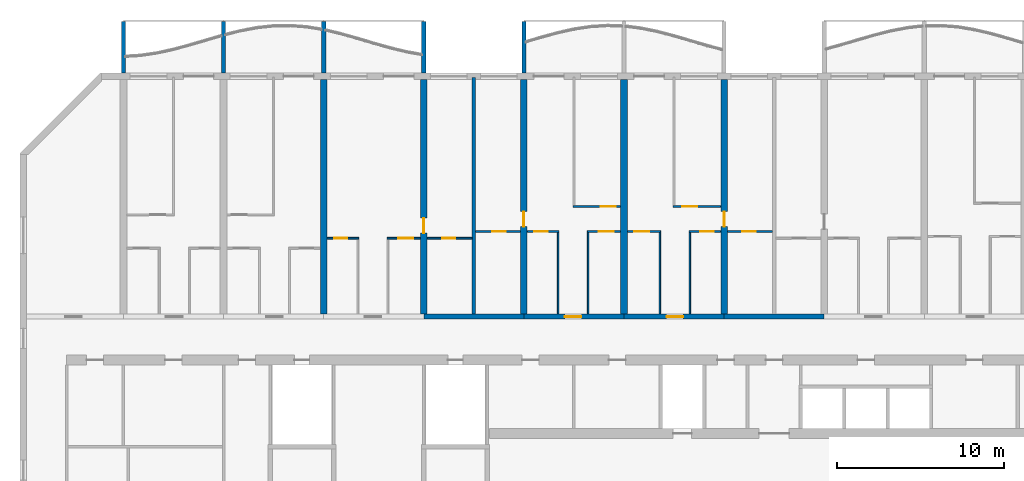
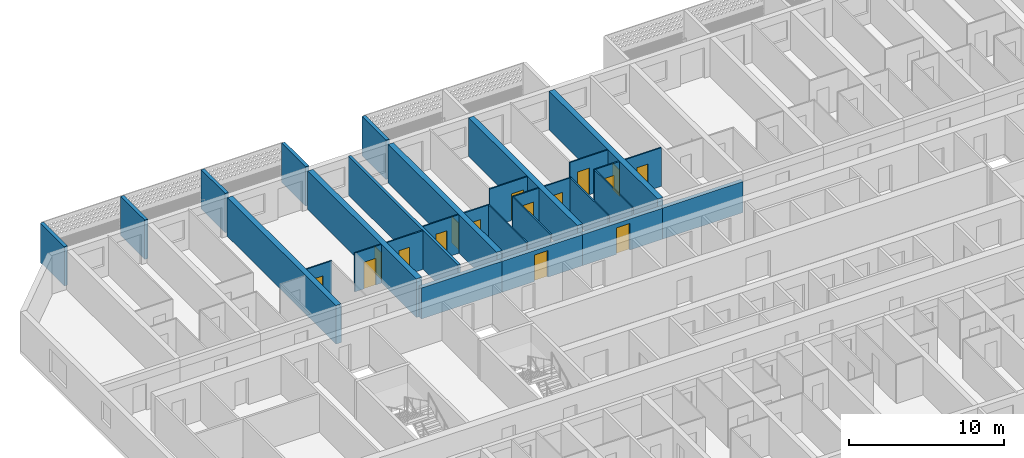
# One storey, part 10 of 39: 30 walls, 16 doors, 16 openings.
"""IFC4 building model written with IfcOpenShell, lengths in metres."""

from ifc_helpers import new_model, si_unit, direction, frame, frame_2d, origin, place, context, subcontext, project, spatial, polyline, rectangle, outline, extrude, source, transform, mapped, material, layer, layer_set, type_object, element, fill, save


model = new_model("IFC4")

# Units and contexts
model_context = context("Model", 3, precision=1e-05, world=origin(), true_north=direction((0.0, 1.0)))
body_context = subcontext(model_context, "Body", "Model", "MODEL_VIEW")
ifc_project = project(units=[si_unit("LENGTHUNIT", "METRE"), si_unit("AREAUNIT", "SQUARE_METRE"), si_unit("VOLUMEUNIT", "CUBIC_METRE"), si_unit("PLANEANGLEUNIT", "RADIAN"), si_unit("MASSUNIT", "GRAM", prefix="KILO")], contexts=[model_context])

# Site, building, storey
site_placement = place(None, origin())
site = spatial("IfcSite", under=ifc_project, at=site_placement, CompositionType="ELEMENT")
building_placement = place(site_placement, origin())
building = spatial("IfcBuilding", under=site, at=building_placement, Name="Poui Terraces", CompositionType="ELEMENT")
storey_placement = place(building_placement, frame((0.0, 0.0, 59.699951171875)))
storey = spatial("IfcBuildingStorey", under=building, at=storey_placement, Name="L16", CompositionType="ELEMENT", Elevation=59.699951171875)

# Wall
ifc_material_1 = material(Name="Concrete 80 MPa", Category="concrete")
ifc_layer_1 = layer(ifc_material_1, 0.300048828125)
ifc_layer_set_1 = layer_set([ifc_layer_1], Name="Concrete 80 MPa")
wall_type_1 = type_object("IfcWallType", Name="CORRIDOR WALL 300 80MPa", PredefinedType="SHEAR", material=ifc_layer_set_1)
wall_1_placement = place(storey_placement, frame((30.0, 30.39990234375, 0.0), z_axis=(0.0, 0.0, 1.0), x_axis=(1.0, 0.0, 0.0)))
element("IfcWall", 1, at=wall_1_placement, inside=storey, type_object=wall_type_1, Name="CORRIDOR WALL LINE E BAY 5", PredefinedType="SHEAR", context=body_context, shape_type="SweptSolid", body=[
    extrude(rectangle(XDim=6.0, YDim=0.300048828125, at=frame_2d((3.0, 0.0))), origin(), (0.0, 0.0, 1.0), 2.449951171875),
])

# Wall, opening, door
wall_2_placement = place(storey_placement, frame((36.0, 30.39990234375, 0.0), z_axis=(0.0, 0.0, 1.0), x_axis=(1.0, 0.0, 0.0)))
wall_2 = element("IfcWall", 2, at=wall_2_placement, inside=storey, type_object=wall_type_1, Name="CORRIDOR WALL LINE E BAY 6", PredefinedType="SHEAR", context=body_context, shape_type="SweptSolid", body=[
    extrude(rectangle(XDim=6.0, YDim=0.300048828125, at=frame_2d((3.0, 0.0))), origin(), (0.0, 0.0, 1.0), 2.449951171875),
])
opening_1_placement = place(wall_2_placement, frame((2.449951171875, 0.0, 0.0)))
opening_1 = element("IfcOpeningElement", 3, at=opening_1_placement, cuts=wall_2, Name="Opening FD30S", PredefinedType="OPENING", context=body_context, shape_type="SweptSolid", body=[
    extrude(rectangle(XDim=1.0, YDim=2.10009765625, at=frame_2d((0.5, 1.050048828125))), frame((0.0, 0.16015625, 0.0), z_axis=(0.0, -1.0, 0.0), x_axis=(1.0, 0.0, 0.0)), (0.0, 0.0, 1.0), 0.320068359375),
])
ifc_material_2 = material(Name="Steel fire door", Category="steel")
door_type_1 = type_object("IfcDoorType", Name="FLAT ENTRANCE DOOR 1000 X 2100", OperationType="NOTDEFINED", PredefinedType="DOOR", material=ifc_material_2)
door_1_placement = place(opening_1_placement, origin())
door_1 = element("IfcDoor", 4, at=door_1_placement, inside=storey, type_object=door_type_1, Name="FLAT ENTRANCE DOOR 049", OperationType="SINGLE_SWING_LEFT", OverallHeight=2.10009765625, OverallWidth=1.0, PredefinedType="DOOR", context=body_context, shape_type="SweptSolid", body=[
    extrude(rectangle(XDim=1.0, YDim=2.10009765625, at=frame_2d((0.5, 1.050048828125))), frame((0.0, 0.02490234375, 0.0), z_axis=(0.0, -1.0, 0.0), x_axis=(1.0, 0.0, 0.0)), (0.0, 0.0, 1.0), 0.050048828125),
])
fill(opening_1, door_1)

wall_3_placement = place(storey_placement, frame((42.0, 30.39990234375, 0.0), z_axis=(0.0, 0.0, 1.0), x_axis=(1.0, 0.0, 0.0)))
wall_3 = element("IfcWall", 5, at=wall_3_placement, inside=storey, type_object=wall_type_1, Name="CORRIDOR WALL LINE E BAY 7", PredefinedType="SHEAR", context=body_context, shape_type="SweptSolid", body=[
    extrude(rectangle(XDim=6.0, YDim=0.300048828125, at=frame_2d((3.0, 0.0))), origin(), (0.0, 0.0, 1.0), 2.449951171875),
])
opening_2_placement = place(wall_3_placement, frame((2.550048828125, 0.0, 0.0)))
opening_2 = element("IfcOpeningElement", 6, at=opening_2_placement, cuts=wall_3, Name="Opening FD30S", PredefinedType="OPENING", context=body_context, shape_type="SweptSolid", body=[
    extrude(rectangle(XDim=1.0, YDim=2.10009765625, at=frame_2d((0.5, 1.050048828125))), frame((0.0, 0.16015625, 0.0), z_axis=(0.0, -1.0, 0.0), x_axis=(1.0, 0.0, 0.0)), (0.0, 0.0, 1.0), 0.320068359375),
])
door_2_placement = place(opening_2_placement, origin())
door_2 = element("IfcDoor", 7, at=door_2_placement, inside=storey, type_object=door_type_1, Name="FLAT ENTRANCE DOOR 054", OperationType="SINGLE_SWING_RIGHT", OverallHeight=2.10009765625, OverallWidth=1.0, PredefinedType="DOOR", context=body_context, shape_type="SweptSolid", body=[
    extrude(rectangle(XDim=1.0, YDim=2.10009765625, at=frame_2d((0.5, 1.050048828125))), frame((0.0, 0.02490234375, 0.0), z_axis=(0.0, -1.0, 0.0), x_axis=(1.0, 0.0, 0.0)), (0.0, 0.0, 1.0), 0.050048828125),
])
fill(opening_2, door_2)

# Walls
wall_4_placement = place(storey_placement, frame((48.0, 30.39990234375, 0.0), z_axis=(0.0, 0.0, 1.0), x_axis=(1.0, 0.0, 0.0)))
element("IfcWall", 8, at=wall_4_placement, inside=storey, type_object=wall_type_1, Name="CORRIDOR WALL LINE E BAY 8", PredefinedType="SHEAR", context=body_context, shape_type="SweptSolid", body=[
    extrude(rectangle(XDim=6.0, YDim=0.300048828125, at=frame_2d((3.0, 0.0))), origin(), (0.0, 0.0, 1.0), 2.449951171875),
])
ifc_layer_2 = layer(ifc_material_1, 0.39990234375)
ifc_layer_set_2 = layer_set([ifc_layer_2], Name="Concrete 80 MPa")
wall_type_2 = type_object("IfcWallType", Name="CROSS WALL 400 80MPa", PredefinedType="SHEAR", material=ifc_layer_set_2)
wall_5_placement = place(storey_placement, frame((24.0, 30.550048828125, 0.0), z_axis=(0.0, 0.0, 1.0), x_axis=(0.0, 1.0, 0.0)))
element("IfcWall", 9, at=wall_5_placement, inside=storey, type_object=wall_type_2, Name="CROSS WALL LINE 5 NORTH", PredefinedType="SHEAR", context=body_context, shape_type="SweptSolid", body=[
    extrude(rectangle(XDim=14.050048828125, YDim=0.39990234375, at=frame_2d((7.02490234375, 0.0))), origin(), (0.0, 0.0, 1.0), 3.050048828125),
])

# Wall, opening, door
wall_6_placement = place(storey_placement, frame((30.0, 30.550048828125, 0.0), z_axis=(0.0, 0.0, 1.0), x_axis=(0.0, 1.0, 0.0)))
wall_6 = element("IfcWall", 10, at=wall_6_placement, inside=storey, type_object=wall_type_2, Name="CROSS WALL LINE 6 NORTH", PredefinedType="SHEAR", context=body_context, shape_type="SweptSolid", body=[
    extrude(rectangle(XDim=14.050048828125, YDim=0.39990234375, at=frame_2d((7.02490234375, 0.0))), origin(), (0.0, 0.0, 1.0), 3.050048828125),
])
opening_3_placement = place(wall_6_placement, frame((4.85009765625, 0.0, 0.0)))
opening_3 = element("IfcOpeningElement", 11, at=opening_3_placement, cuts=wall_6, Name="Opening D90", PredefinedType="OPENING", context=body_context, shape_type="SweptSolid", body=[
    extrude(rectangle(XDim=0.89990234375, YDim=2.10009765625, at=frame_2d((0.449951171875, 1.050048828125))), frame((0.0, 0.2099609375, 0.0), z_axis=(0.0, -1.0, 0.0), x_axis=(1.0, 0.0, 0.0)), (0.0, 0.0, 1.0), 0.419921875),
])
ifc_material_3 = material(Name="Solid core timber door", Category="wood")
door_type_2 = type_object("IfcDoorType", Name="INTERNAL DOOR 900 X 2100", OperationType="NOTDEFINED", PredefinedType="DOOR", material=ifc_material_3)
door_3_placement = place(opening_3_placement, frame((0.89990234375, 0.0, 0.0), z_axis=(0.0, 0.0, 1.0), x_axis=(-1.0, 0.0, 0.0)))
door_3 = element("IfcDoor", 12, at=door_3_placement, inside=storey, type_object=door_type_2, Name="INTERNAL DOOR 045", OperationType="SINGLE_SWING_RIGHT", OverallHeight=2.10009765625, OverallWidth=0.89990234375, PredefinedType="DOOR", context=body_context, shape_type="SweptSolid", body=[
    extrude(rectangle(XDim=0.89990234375, YDim=2.10009765625, at=frame_2d((0.449951171875, 1.050048828125))), frame((0.0, 0.02490234375, 0.0), z_axis=(0.0, -1.0, 0.0), x_axis=(1.0, 0.0, 0.0)), (0.0, 0.0, 1.0), 0.050048828125),
])
fill(opening_3, door_3)

wall_7_placement = place(storey_placement, frame((36.0, 30.550048828125, 0.0), z_axis=(0.0, 0.0, 1.0), x_axis=(0.0, 1.0, 0.0)))
wall_7 = element("IfcWall", 13, at=wall_7_placement, inside=storey, type_object=wall_type_2, Name="CROSS WALL LINE 7 NORTH", PredefinedType="SHEAR", context=body_context, shape_type="SweptSolid", body=[
    extrude(rectangle(XDim=14.050048828125, YDim=0.39990234375, at=frame_2d((7.02490234375, 0.0))), origin(), (0.0, 0.0, 1.0), 3.050048828125),
])
opening_4_placement = place(wall_7_placement, frame((5.25, 0.0, 0.0)))
opening_4 = element("IfcOpeningElement", 14, at=opening_4_placement, cuts=wall_7, Name="Opening D90", PredefinedType="OPENING", context=body_context, shape_type="SweptSolid", body=[
    extrude(rectangle(XDim=0.89990234375, YDim=2.10009765625, at=frame_2d((0.449951171875, 1.050048828125))), frame((0.0, 0.2099609375, 0.0), z_axis=(0.0, -1.0, 0.0), x_axis=(1.0, 0.0, 0.0)), (0.0, 0.0, 1.0), 0.419921875),
])
door_4_placement = place(opening_4_placement, origin())
door_4 = element("IfcDoor", 15, at=door_4_placement, inside=storey, type_object=door_type_2, Name="INTERNAL DOOR 047", OperationType="SINGLE_SWING_LEFT", OverallHeight=2.10009765625, OverallWidth=0.89990234375, PredefinedType="DOOR", context=body_context, shape_type="SweptSolid", body=[
    extrude(rectangle(XDim=0.89990234375, YDim=2.10009765625, at=frame_2d((0.449951171875, 1.050048828125))), frame((0.0, 0.02490234375, 0.0), z_axis=(0.0, -1.0, 0.0), x_axis=(1.0, 0.0, 0.0)), (0.0, 0.0, 1.0), 0.050048828125),
])
fill(opening_4, door_4)

# Wall
wall_8_placement = place(storey_placement, frame((42.0, 30.550048828125, 0.0), z_axis=(0.0, 0.0, 1.0), x_axis=(0.0, 1.0, 0.0)))
element("IfcWall", 16, at=wall_8_placement, inside=storey, type_object=wall_type_2, Name="CROSS WALL LINE 8 NORTH", PredefinedType="SHEAR", context=body_context, shape_type="SweptSolid", body=[
    extrude(rectangle(XDim=14.050048828125, YDim=0.39990234375, at=frame_2d((7.02490234375, 0.0))), origin(), (0.0, 0.0, 1.0), 3.050048828125),
])

# Wall, opening, door
wall_9_placement = place(storey_placement, frame((48.0, 30.550048828125, 0.0), z_axis=(0.0, 0.0, 1.0), x_axis=(0.0, 1.0, 0.0)))
wall_9 = element("IfcWall", 17, at=wall_9_placement, inside=storey, type_object=wall_type_2, Name="CROSS WALL LINE 9 NORTH", PredefinedType="SHEAR", context=body_context, shape_type="SweptSolid", body=[
    extrude(rectangle(XDim=14.050048828125, YDim=0.39990234375, at=frame_2d((7.02490234375, 0.0))), origin(), (0.0, 0.0, 1.0), 3.050048828125),
])
opening_5_placement = place(wall_9_placement, frame((5.25, 0.0, 0.0)))
opening_5 = element("IfcOpeningElement", 18, at=opening_5_placement, cuts=wall_9, Name="Opening D90", PredefinedType="OPENING", context=body_context, shape_type="SweptSolid", body=[
    extrude(rectangle(XDim=0.89990234375, YDim=2.10009765625, at=frame_2d((0.449951171875, 1.050048828125))), frame((0.0, 0.2099609375, 0.0), z_axis=(0.0, -1.0, 0.0), x_axis=(1.0, 0.0, 0.0)), (0.0, 0.0, 1.0), 0.419921875),
])
door_5_placement = place(opening_5_placement, frame((0.89990234375, 0.0, 0.0), z_axis=(0.0, 0.0, 1.0), x_axis=(-1.0, 0.0, 0.0)))
door_5 = element("IfcDoor", 19, at=door_5_placement, inside=storey, type_object=door_type_2, Name="INTERNAL DOOR 057", OperationType="SINGLE_SWING_RIGHT", OverallHeight=2.10009765625, OverallWidth=0.89990234375, PredefinedType="DOOR", context=body_context, shape_type="SweptSolid", body=[
    extrude(rectangle(XDim=0.89990234375, YDim=2.10009765625, at=frame_2d((0.449951171875, 1.050048828125))), frame((0.0, 0.02490234375, 0.0), z_axis=(0.0, -1.0, 0.0), x_axis=(1.0, 0.0, 0.0)), (0.0, 0.0, 1.0), 0.050048828125),
])
fill(opening_5, door_5)

ifc_material_4 = material(Name="Plasterboard partition")
ifc_layer_3 = layer(ifc_material_4, 0.10009765625)
ifc_layer_set_3 = layer_set([ifc_layer_3], Name="Plasterboard partition")
wall_type_3 = type_object("IfcWallType", Name="FLAT PARTITION 100", PredefinedType="PARTITIONING", material=ifc_layer_set_3)
wall_10_placement = place(storey_placement, frame((24.2099609375, 35.10009765625, 0.0), z_axis=(0.0, 0.0, 1.0), x_axis=(1.0, 0.0, 0.0)))
wall_10 = element("IfcWall", 20, at=wall_10_placement, inside=storey, type_object=wall_type_3, Name="FLAT PARTITION 100", PredefinedType="PARTITIONING", context=body_context, shape_type="SweptSolid", body=[
    extrude(rectangle(XDim=1.89013671875, YDim=0.10009765625, at=frame_2d((0.945068359375, 0.0))), origin(), (0.0, 0.0, 1.0), 3.050048828125),
])
opening_6_placement = place(wall_10_placement, frame((0.4150390625, 0.0, 0.0)))
opening_6 = element("IfcOpeningElement", 21, at=opening_6_placement, cuts=wall_10, Name="Opening D80", PredefinedType="OPENING", context=body_context, shape_type="SweptSolid", body=[
    extrude(rectangle(XDim=0.800048828125, YDim=2.10009765625, at=frame_2d((0.39990234375, 1.050048828125))), frame((0.0, 0.06005859375, 0.0), z_axis=(0.0, -1.0, 0.0), x_axis=(1.0, 0.0, 0.0)), (0.0, 0.0, 1.0), 0.1201171875),
])
door_type_3 = type_object("IfcDoorType", Name="BATHROOM, LAUNDRY AND STORE DOOR 800 X 2100", OperationType="NOTDEFINED", PredefinedType="DOOR", material=ifc_material_3)
door_6_placement = place(opening_6_placement, frame((0.800048828125, 0.0, 0.0), z_axis=(0.0, 0.0, 1.0), x_axis=(-1.0, 0.0, 0.0)))
door_6 = element("IfcDoor", 22, at=door_6_placement, inside=storey, type_object=door_type_3, Name="BATHROOM, LAUNDRY AND STORE DOOR 042", OperationType="SINGLE_SWING_RIGHT", OverallHeight=2.10009765625, OverallWidth=0.800048828125, PredefinedType="DOOR", context=body_context, shape_type="SweptSolid", body=[
    extrude(rectangle(XDim=0.800048828125, YDim=2.10009765625, at=frame_2d((0.39990234375, 1.050048828125))), frame((0.0, 0.02490234375, 0.0), z_axis=(0.0, -1.0, 0.0), x_axis=(1.0, 0.0, 0.0)), (0.0, 0.0, 1.0), 0.050048828125),
])
fill(opening_6, door_6)

wall_11_placement = place(storey_placement, frame((27.800048828125, 35.10009765625, 0.0), z_axis=(0.0, 0.0, 1.0), x_axis=(1.0, 0.0, 0.0)))
wall_11 = element("IfcWall", 23, at=wall_11_placement, inside=storey, type_object=wall_type_3, Name="FLAT PARTITION 100", PredefinedType="PARTITIONING", context=body_context, shape_type="SweptSolid", body=[
    extrude(rectangle(XDim=1.989990234375, YDim=0.10009765625, at=frame_2d((0.9951171875, 0.0))), origin(), (0.0, 0.0, 1.0), 3.050048828125),
])
opening_7_placement = place(wall_11_placement, frame((0.675048828125, 0.0, 0.0)))
opening_7 = element("IfcOpeningElement", 24, at=opening_7_placement, cuts=wall_11, Name="Opening D90", PredefinedType="OPENING", context=body_context, shape_type="SweptSolid", body=[
    extrude(rectangle(XDim=0.89990234375, YDim=2.10009765625, at=frame_2d((0.449951171875, 1.050048828125))), frame((0.0, 0.06005859375, 0.0), z_axis=(0.0, -1.0, 0.0), x_axis=(1.0, 0.0, 0.0)), (0.0, 0.0, 1.0), 0.1201171875),
])
door_7_placement = place(opening_7_placement, frame((0.89990234375, 0.0, 0.0), z_axis=(0.0, 0.0, 1.0), x_axis=(-1.0, 0.0, 0.0)))
door_7 = element("IfcDoor", 25, at=door_7_placement, inside=storey, type_object=door_type_2, Name="INTERNAL DOOR 044", OperationType="SINGLE_SWING_LEFT", OverallHeight=2.10009765625, OverallWidth=0.89990234375, PredefinedType="DOOR", context=body_context, shape_type="SweptSolid", body=[
    extrude(rectangle(XDim=0.89990234375, YDim=2.10009765625, at=frame_2d((0.449951171875, 1.050048828125))), frame((0.0, 0.02490234375, 0.0), z_axis=(0.0, -1.0, 0.0), x_axis=(1.0, 0.0, 0.0)), (0.0, 0.0, 1.0), 0.050048828125),
])
fill(opening_7, door_7)

wall_12_placement = place(storey_placement, frame((30.2099609375, 35.10009765625, 0.0), z_axis=(0.0, 0.0, 1.0), x_axis=(1.0, 0.0, 0.0)))
wall_12 = element("IfcWall", 26, at=wall_12_placement, inside=storey, type_object=wall_type_3, Name="FLAT PARTITION 100", PredefinedType="PARTITIONING", context=body_context, shape_type="SweptSolid", body=[
    extrude(rectangle(XDim=2.68994140625, YDim=0.10009765625, at=frame_2d((1.344970703125, 0.0))), origin(), (0.0, 0.0, 1.0), 3.050048828125),
])
opening_8_placement = place(wall_12_placement, frame((0.889892578125, 0.0, 0.0)))
opening_8 = element("IfcOpeningElement", 27, at=opening_8_placement, cuts=wall_12, Name="Opening D80", PredefinedType="OPENING", context=body_context, shape_type="SweptSolid", body=[
    extrude(rectangle(XDim=0.800048828125, YDim=2.10009765625, at=frame_2d((0.39990234375, 1.050048828125))), frame((0.0, 0.06005859375, 0.0), z_axis=(0.0, -1.0, 0.0), x_axis=(1.0, 0.0, 0.0)), (0.0, 0.0, 1.0), 0.1201171875),
])
door_8_placement = place(opening_8_placement, frame((0.800048828125, 0.0, 0.0), z_axis=(0.0, 0.0, 1.0), x_axis=(-1.0, 0.0, 0.0)))
door_8 = element("IfcDoor", 28, at=door_8_placement, inside=storey, type_object=door_type_3, Name="BATHROOM, LAUNDRY AND STORE DOOR 041", OperationType="SINGLE_SWING_LEFT", OverallHeight=2.10009765625, OverallWidth=0.800048828125, PredefinedType="DOOR", context=body_context, shape_type="SweptSolid", body=[
    extrude(rectangle(XDim=0.800048828125, YDim=2.10009765625, at=frame_2d((0.39990234375, 1.050048828125))), frame((0.0, 0.02490234375, 0.0), z_axis=(0.0, -1.0, 0.0), x_axis=(1.0, 0.0, 0.0)), (0.0, 0.0, 1.0), 0.050048828125),
])
fill(opening_8, door_8)

wall_13_placement = place(storey_placement, frame((33.10009765625, 35.5, 0.0), z_axis=(0.0, 0.0, 1.0), x_axis=(1.0, 0.0, 0.0)))
wall_13 = element("IfcWall", 29, at=wall_13_placement, inside=storey, type_object=wall_type_3, Name="FLAT PARTITION 100", PredefinedType="PARTITIONING", context=body_context, shape_type="SweptSolid", body=[
    extrude(rectangle(XDim=2.68994140625, YDim=0.10009765625, at=frame_2d((1.344970703125, 0.0))), origin(), (0.0, 0.0, 1.0), 3.050048828125),
])
opening_9_placement = place(wall_13_placement, frame((1.0, 0.0, 0.0)))
opening_9 = element("IfcOpeningElement", 30, at=opening_9_placement, cuts=wall_13, Name="Opening D80", PredefinedType="OPENING", context=body_context, shape_type="SweptSolid", body=[
    extrude(rectangle(XDim=0.800048828125, YDim=2.10009765625, at=frame_2d((0.39990234375, 1.050048828125))), frame((0.0, 0.06005859375, 0.0), z_axis=(0.0, -1.0, 0.0), x_axis=(1.0, 0.0, 0.0)), (0.0, 0.0, 1.0), 0.1201171875),
])
door_9_placement = place(opening_9_placement, frame((0.800048828125, 0.0, 0.0), z_axis=(0.0, 0.0, 1.0), x_axis=(-1.0, 0.0, 0.0)))
door_9 = element("IfcDoor", 31, at=door_9_placement, inside=storey, type_object=door_type_3, Name="BATHROOM, LAUNDRY AND STORE DOOR 046", OperationType="SINGLE_SWING_RIGHT", OverallHeight=2.10009765625, OverallWidth=0.800048828125, PredefinedType="DOOR", context=body_context, shape_type="SweptSolid", body=[
    extrude(rectangle(XDim=0.800048828125, YDim=2.10009765625, at=frame_2d((0.39990234375, 1.050048828125))), frame((0.0, 0.02490234375, 0.0), z_axis=(0.0, -1.0, 0.0), x_axis=(1.0, 0.0, 0.0)), (0.0, 0.0, 1.0), 0.050048828125),
])
fill(opening_9, door_9)

wall_14_placement = place(storey_placement, frame((36.2099609375, 35.5, 0.0), z_axis=(0.0, 0.0, 1.0), x_axis=(1.0, 0.0, 0.0)))
wall_14 = element("IfcWall", 32, at=wall_14_placement, inside=storey, type_object=wall_type_3, Name="FLAT PARTITION 100", PredefinedType="PARTITIONING", context=body_context, shape_type="SweptSolid", body=[
    extrude(rectangle(XDim=1.89013671875, YDim=0.10009765625, at=frame_2d((0.945068359375, 0.0))), origin(), (0.0, 0.0, 1.0), 3.050048828125),
])
opening_10_placement = place(wall_14_placement, frame((0.4150390625, 0.0, 0.0)))
opening_10 = element("IfcOpeningElement", 33, at=opening_10_placement, cuts=wall_14, Name="Opening D80", PredefinedType="OPENING", context=body_context, shape_type="SweptSolid", body=[
    extrude(rectangle(XDim=0.800048828125, YDim=2.10009765625, at=frame_2d((0.39990234375, 1.050048828125))), frame((0.0, 0.06005859375, 0.0), z_axis=(0.0, -1.0, 0.0), x_axis=(1.0, 0.0, 0.0)), (0.0, 0.0, 1.0), 0.1201171875),
])
door_10_placement = place(opening_10_placement, frame((0.800048828125, 0.0, 0.0), z_axis=(0.0, 0.0, 1.0), x_axis=(-1.0, 0.0, 0.0)))
door_10 = element("IfcDoor", 34, at=door_10_placement, inside=storey, type_object=door_type_3, Name="BATHROOM, LAUNDRY AND STORE DOOR 048", OperationType="SINGLE_SWING_RIGHT", OverallHeight=2.10009765625, OverallWidth=0.800048828125, PredefinedType="DOOR", context=body_context, shape_type="SweptSolid", body=[
    extrude(rectangle(XDim=0.800048828125, YDim=2.10009765625, at=frame_2d((0.39990234375, 1.050048828125))), frame((0.0, 0.02490234375, 0.0), z_axis=(0.0, -1.0, 0.0), x_axis=(1.0, 0.0, 0.0)), (0.0, 0.0, 1.0), 0.050048828125),
])
fill(opening_10, door_10)

wall_15_placement = place(storey_placement, frame((39.800048828125, 35.5, 0.0), z_axis=(0.0, 0.0, 1.0), x_axis=(1.0, 0.0, 0.0)))
wall_15 = element("IfcWall", 35, at=wall_15_placement, inside=storey, type_object=wall_type_3, Name="FLAT PARTITION 100", PredefinedType="PARTITIONING", context=body_context, shape_type="SweptSolid", body=[
    extrude(rectangle(XDim=1.989990234375, YDim=0.10009765625, at=frame_2d((0.9951171875, 0.0))), origin(), (0.0, 0.0, 1.0), 3.050048828125),
])
opening_11_placement = place(wall_15_placement, frame((0.675048828125, 0.0, 0.0)))
opening_11 = element("IfcOpeningElement", 36, at=opening_11_placement, cuts=wall_15, Name="Opening D90", PredefinedType="OPENING", context=body_context, shape_type="SweptSolid", body=[
    extrude(rectangle(XDim=0.89990234375, YDim=2.10009765625, at=frame_2d((0.449951171875, 1.050048828125))), frame((0.0, 0.06005859375, 0.0), z_axis=(0.0, -1.0, 0.0), x_axis=(1.0, 0.0, 0.0)), (0.0, 0.0, 1.0), 0.1201171875),
])
door_11_placement = place(opening_11_placement, frame((0.89990234375, 0.0, 0.0), z_axis=(0.0, 0.0, 1.0), x_axis=(-1.0, 0.0, 0.0)))
door_11 = element("IfcDoor", 37, at=door_11_placement, inside=storey, type_object=door_type_2, Name="INTERNAL DOOR 050", OperationType="SINGLE_SWING_LEFT", OverallHeight=2.10009765625, OverallWidth=0.89990234375, PredefinedType="DOOR", context=body_context, shape_type="SweptSolid", body=[
    extrude(rectangle(XDim=0.89990234375, YDim=2.10009765625, at=frame_2d((0.449951171875, 1.050048828125))), frame((0.0, 0.02490234375, 0.0), z_axis=(0.0, -1.0, 0.0), x_axis=(1.0, 0.0, 0.0)), (0.0, 0.0, 1.0), 0.050048828125),
])
fill(opening_11, door_11)

wall_16_placement = place(storey_placement, frame((42.2099609375, 35.5, 0.0), z_axis=(0.0, 0.0, 1.0), x_axis=(1.0, 0.0, 0.0)))
wall_16 = element("IfcWall", 38, at=wall_16_placement, inside=storey, type_object=wall_type_3, Name="FLAT PARTITION 100", PredefinedType="PARTITIONING", context=body_context, shape_type="SweptSolid", body=[
    extrude(rectangle(XDim=1.989990234375, YDim=0.10009765625, at=frame_2d((0.9951171875, 0.0))), origin(), (0.0, 0.0, 1.0), 3.050048828125),
])
opening_12_placement = place(wall_16_placement, frame((0.4150390625, 0.0, 0.0)))
opening_12 = element("IfcOpeningElement", 39, at=opening_12_placement, cuts=wall_16, Name="Opening D90", PredefinedType="OPENING", context=body_context, shape_type="SweptSolid", body=[
    extrude(rectangle(XDim=0.89990234375, YDim=2.10009765625, at=frame_2d((0.449951171875, 1.050048828125))), frame((0.0, 0.06005859375, 0.0), z_axis=(0.0, -1.0, 0.0), x_axis=(1.0, 0.0, 0.0)), (0.0, 0.0, 1.0), 0.1201171875),
])
door_12_placement = place(opening_12_placement, frame((0.89990234375, 0.0, 0.0), z_axis=(0.0, 0.0, 1.0), x_axis=(-1.0, 0.0, 0.0)))
door_12 = element("IfcDoor", 40, at=door_12_placement, inside=storey, type_object=door_type_2, Name="INTERNAL DOOR 053", OperationType="SINGLE_SWING_LEFT", OverallHeight=2.10009765625, OverallWidth=0.89990234375, PredefinedType="DOOR", context=body_context, shape_type="SweptSolid", body=[
    extrude(rectangle(XDim=0.89990234375, YDim=2.10009765625, at=frame_2d((0.449951171875, 1.050048828125))), frame((0.0, 0.02490234375, 0.0), z_axis=(0.0, -1.0, 0.0), x_axis=(1.0, 0.0, 0.0)), (0.0, 0.0, 1.0), 0.050048828125),
])
fill(opening_12, door_12)

wall_17_placement = place(storey_placement, frame((45.89990234375, 35.5, 0.0), z_axis=(0.0, 0.0, 1.0), x_axis=(1.0, 0.0, 0.0)))
wall_17 = element("IfcWall", 41, at=wall_17_placement, inside=storey, type_object=wall_type_3, Name="FLAT PARTITION 100", PredefinedType="PARTITIONING", context=body_context, shape_type="SweptSolid", body=[
    extrude(rectangle(XDim=1.89013671875, YDim=0.10009765625, at=frame_2d((0.945068359375, 0.0))), origin(), (0.0, 0.0, 1.0), 3.050048828125),
])
opening_13_placement = place(wall_17_placement, frame((0.675048828125, 0.0, 0.0)))
opening_13 = element("IfcOpeningElement", 42, at=opening_13_placement, cuts=wall_17, Name="Opening D80", PredefinedType="OPENING", context=body_context, shape_type="SweptSolid", body=[
    extrude(rectangle(XDim=0.800048828125, YDim=2.10009765625, at=frame_2d((0.39990234375, 1.050048828125))), frame((0.0, 0.06005859375, 0.0), z_axis=(0.0, -1.0, 0.0), x_axis=(1.0, 0.0, 0.0)), (0.0, 0.0, 1.0), 0.1201171875),
])
door_13_placement = place(opening_13_placement, frame((0.800048828125, 0.0, 0.0), z_axis=(0.0, 0.0, 1.0), x_axis=(-1.0, 0.0, 0.0)))
door_13 = element("IfcDoor", 43, at=door_13_placement, inside=storey, type_object=door_type_3, Name="BATHROOM, LAUNDRY AND STORE DOOR 056", OperationType="SINGLE_SWING_RIGHT", OverallHeight=2.10009765625, OverallWidth=0.800048828125, PredefinedType="DOOR", context=body_context, shape_type="SweptSolid", body=[
    extrude(rectangle(XDim=0.800048828125, YDim=2.10009765625, at=frame_2d((0.39990234375, 1.050048828125))), frame((0.0, 0.02490234375, 0.0), z_axis=(0.0, -1.0, 0.0), x_axis=(1.0, 0.0, 0.0)), (0.0, 0.0, 1.0), 0.050048828125),
])
fill(opening_13, door_13)

wall_18_placement = place(storey_placement, frame((48.2099609375, 35.5, 0.0), z_axis=(0.0, 0.0, 1.0), x_axis=(1.0, 0.0, 0.0)))
wall_18 = element("IfcWall", 44, at=wall_18_placement, inside=storey, type_object=wall_type_3, Name="FLAT PARTITION 100", PredefinedType="PARTITIONING", context=body_context, shape_type="SweptSolid", body=[
    extrude(rectangle(XDim=2.68994140625, YDim=0.10009765625, at=frame_2d((1.344970703125, 0.0))), origin(), (0.0, 0.0, 1.0), 3.050048828125),
])
opening_14_placement = place(wall_18_placement, frame((0.889892578125, 0.0, 0.0)))
opening_14 = element("IfcOpeningElement", 45, at=opening_14_placement, cuts=wall_18, Name="Opening D80", PredefinedType="OPENING", context=body_context, shape_type="SweptSolid", body=[
    extrude(rectangle(XDim=0.800048828125, YDim=2.10009765625, at=frame_2d((0.39990234375, 1.050048828125))), frame((0.0, 0.06005859375, 0.0), z_axis=(0.0, -1.0, 0.0), x_axis=(1.0, 0.0, 0.0)), (0.0, 0.0, 1.0), 0.1201171875),
])
door_14_placement = place(opening_14_placement, frame((0.800048828125, 0.0, 0.0), z_axis=(0.0, 0.0, 1.0), x_axis=(-1.0, 0.0, 0.0)))
door_14 = element("IfcDoor", 46, at=door_14_placement, inside=storey, type_object=door_type_3, Name="BATHROOM, LAUNDRY AND STORE DOOR 052", OperationType="SINGLE_SWING_LEFT", OverallHeight=2.10009765625, OverallWidth=0.800048828125, PredefinedType="DOOR", context=body_context, shape_type="SweptSolid", body=[
    extrude(rectangle(XDim=0.800048828125, YDim=2.10009765625, at=frame_2d((0.39990234375, 1.050048828125))), frame((0.0, 0.02490234375, 0.0), z_axis=(0.0, -1.0, 0.0), x_axis=(1.0, 0.0, 0.0)), (0.0, 0.0, 1.0), 0.050048828125),
])
fill(opening_14, door_14)

wall_19_placement = place(storey_placement, frame((38.949951171875, 37.0, 0.0), z_axis=(0.0, 0.0, 1.0), x_axis=(1.0, 0.0, 0.0)))
wall_19 = element("IfcWall", 47, at=wall_19_placement, inside=storey, type_object=wall_type_3, Name="FLAT PARTITION 100", PredefinedType="PARTITIONING", context=body_context, shape_type="SweptSolid", body=[
    extrude(rectangle(XDim=2.840087890625, YDim=0.10009765625, at=frame_2d((1.419921875, 0.0))), origin(), (0.0, 0.0, 1.0), 3.050048828125),
])
opening_15_placement = place(wall_19_placement, frame((1.64990234375, 0.0, 0.0)))
opening_15 = element("IfcOpeningElement", 48, at=opening_15_placement, cuts=wall_19, Name="Opening D90", PredefinedType="OPENING", context=body_context, shape_type="SweptSolid", body=[
    extrude(rectangle(XDim=0.89990234375, YDim=2.10009765625, at=frame_2d((0.449951171875, 1.050048828125))), frame((0.0, 0.06005859375, 0.0), z_axis=(0.0, -1.0, 0.0), x_axis=(1.0, 0.0, 0.0)), (0.0, 0.0, 1.0), 0.1201171875),
])
door_15_placement = place(opening_15_placement, frame((0.89990234375, 0.0, 0.0), z_axis=(0.0, 0.0, 1.0), x_axis=(-1.0, 0.0, 0.0)))
door_15 = element("IfcDoor", 49, at=door_15_placement, inside=storey, type_object=door_type_2, Name="INTERNAL DOOR 051", OperationType="SINGLE_SWING_RIGHT", OverallHeight=2.10009765625, OverallWidth=0.89990234375, PredefinedType="DOOR", context=body_context, shape_type="SweptSolid", body=[
    extrude(rectangle(XDim=0.89990234375, YDim=2.10009765625, at=frame_2d((0.449951171875, 1.050048828125))), frame((0.0, 0.02490234375, 0.0), z_axis=(0.0, -1.0, 0.0), x_axis=(1.0, 0.0, 0.0)), (0.0, 0.0, 1.0), 0.050048828125),
])
fill(opening_15, door_15)

wall_20_placement = place(storey_placement, frame((44.949951171875, 37.0, 0.0), z_axis=(0.0, 0.0, 1.0), x_axis=(1.0, 0.0, 0.0)))
wall_20 = element("IfcWall", 50, at=wall_20_placement, inside=storey, type_object=wall_type_3, Name="FLAT PARTITION 100", PredefinedType="PARTITIONING", context=body_context, shape_type="SweptSolid", body=[
    extrude(rectangle(XDim=2.840087890625, YDim=0.10009765625, at=frame_2d((1.419921875, 0.0))), origin(), (0.0, 0.0, 1.0), 3.050048828125),
])
opening_16_placement = place(wall_20_placement, frame((0.550048828125, 0.0, 0.0)))
opening_16 = element("IfcOpeningElement", 51, at=opening_16_placement, cuts=wall_20, Name="Opening D90", PredefinedType="OPENING", context=body_context, shape_type="SweptSolid", body=[
    extrude(rectangle(XDim=0.89990234375, YDim=2.10009765625, at=frame_2d((0.449951171875, 1.050048828125))), frame((0.0, 0.06005859375, 0.0), z_axis=(0.0, -1.0, 0.0), x_axis=(1.0, 0.0, 0.0)), (0.0, 0.0, 1.0), 0.1201171875),
])
door_16_placement = place(opening_16_placement, frame((0.89990234375, 0.0, 0.0), z_axis=(0.0, 0.0, 1.0), x_axis=(-1.0, 0.0, 0.0)))
door_16 = element("IfcDoor", 52, at=door_16_placement, inside=storey, type_object=door_type_2, Name="INTERNAL DOOR 055", OperationType="SINGLE_SWING_LEFT", OverallHeight=2.10009765625, OverallWidth=0.89990234375, PredefinedType="DOOR", context=body_context, shape_type="SweptSolid", body=[
    extrude(rectangle(XDim=0.89990234375, YDim=2.10009765625, at=frame_2d((0.449951171875, 1.050048828125))), frame((0.0, 0.02490234375, 0.0), z_axis=(0.0, -1.0, 0.0), x_axis=(1.0, 0.0, 0.0)), (0.0, 0.0, 1.0), 0.050048828125),
])
fill(opening_16, door_16)

# Walls
for number, where, z_axis, x_axis, name in (
    (53, (38.050048828125, 30.56005859375, 0.0), (0.0, 0.0, 1.0), (0.0, 1.0, 0.0), "FLAT PARTITION 100"),
    (54, (39.85009765625, 30.56005859375, 0.0), (0.0, 0.0, 1.0), (0.0, 1.0, 0.0), "FLAT PARTITION 100"),
    (55, (44.14990234375, 30.56005859375, 0.0), (0.0, 0.0, 1.0), (0.0, 1.0, 0.0), "FLAT PARTITION 100"),
    (56, (45.949951171875, 30.56005859375, 0.0), (0.0, 0.0, 1.0), (0.0, 1.0, 0.0), "FLAT PARTITION 100"),
):
    element("IfcWall", number, at=place(storey_placement, frame(where, z_axis=z_axis, x_axis=x_axis)), inside=storey, type_object=wall_type_3, Name=name, PredefinedType="PARTITIONING", context=body_context, shape_type="SweptSolid", body=[
        extrude(rectangle(XDim=4.889892578125, YDim=0.10009765625, at=frame_2d((2.44482421875, 0.0))), origin(), (0.0, 0.0, 1.0), 3.050048828125),
    ])
ifc_material_5 = material(Name="Fire-rated masonry wall", Category="masonry")
ifc_layer_4 = layer(ifc_material_5, 0.199951171875)
ifc_layer_set_4 = layer_set([ifc_layer_4], Name="Fire-rated masonry wall")
wall_type_4 = type_object("IfcWallType", Name="FLAT PARTY WALL 200", PredefinedType="PARTITIONING", material=ifc_layer_set_4)
wall_21_placement = place(storey_placement, frame((33.0, 30.56005859375, 0.0), z_axis=(0.0, 0.0, 1.0), x_axis=(0.0, 1.0, 0.0)))
element("IfcWall", 57, at=wall_21_placement, inside=storey, type_object=wall_type_4, Name="FLAT PARTY WALL 200", PredefinedType="PARTITIONING", context=body_context, shape_type="SweptSolid", body=[
    extrude(rectangle(XDim=14.179931640625, YDim=0.199951171875, at=frame_2d((7.08984375, 0.0))), origin(), (0.0, 0.0, 1.0), 3.050048828125),
])
ifc_material_6 = material(Name="Precast concrete 40 MPa", Category="concrete")
ifc_layer_5 = layer(ifc_material_6, 0.25)
ifc_layer_set_5 = layer_set([ifc_layer_5], Name="Precast concrete 40 MPa")
wall_type_5 = type_object("IfcWallType", Name="BALCONY FIN 250", PredefinedType="STANDARD", material=ifc_layer_set_5)
shared_shape = source(origin(), body_context, "Body", "SweptSolid", [
    extrude(outline(polyline([(0.0, 0.0), (0.25, 0.0), (0.25, 3.10009765625), (0.0, 3.10009765625), (0.0, 0.0)])), origin(), (0.0, 0.0, 1.0), 3.10009765625),
])
for number, where, name in (
    (58, (11.875, 45.0, 0.0), "BALCONY FIN"),
    (59, (17.875, 45.0, 0.0), "BALCONY FIN"),
    (60, (23.875, 45.0, 0.0), "BALCONY FIN"),
    (61, (29.875, 45.0, 0.0), "BALCONY FIN"),
    (62, (35.875, 45.0, 0.0), "BALCONY FIN"),
):
    element("IfcWall", number, at=place(storey_placement, frame(where)), inside=storey, type_object=wall_type_5, Name=name, PredefinedType="STANDARD", context=body_context, shape_type="MappedRepresentation", body=[
        mapped(shared_shape, transform((0.0, 0.0, 0.0))),
    ])

save(model, "model.ifc")
